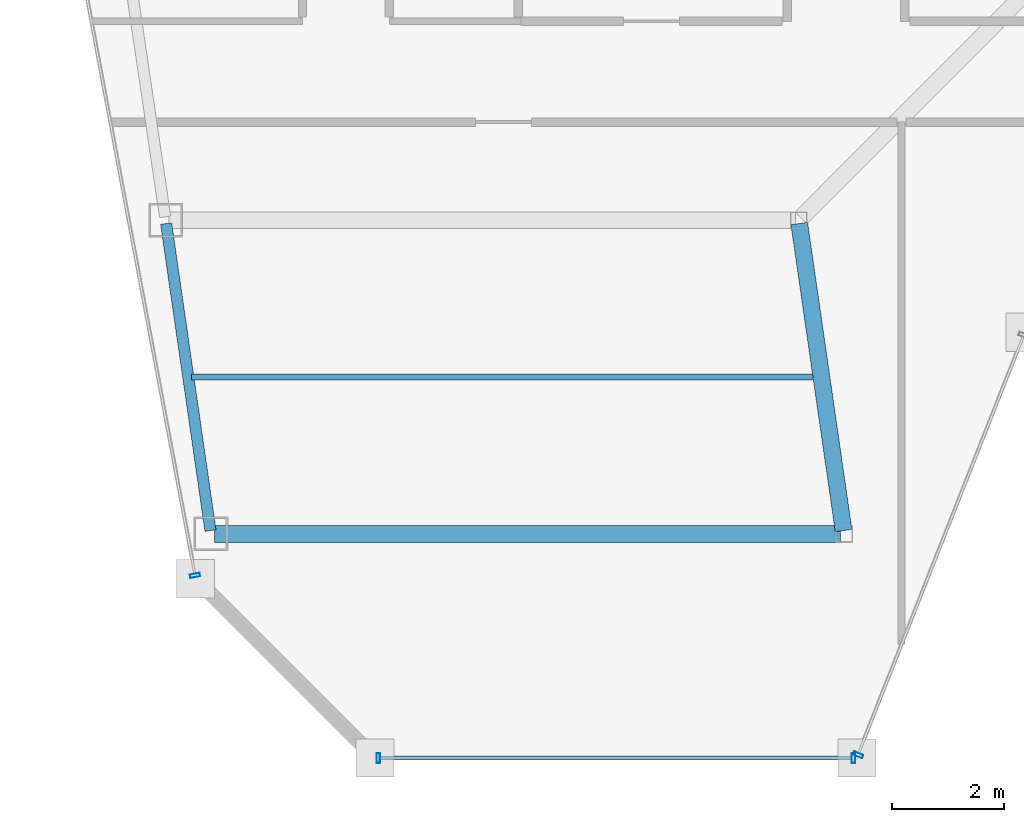
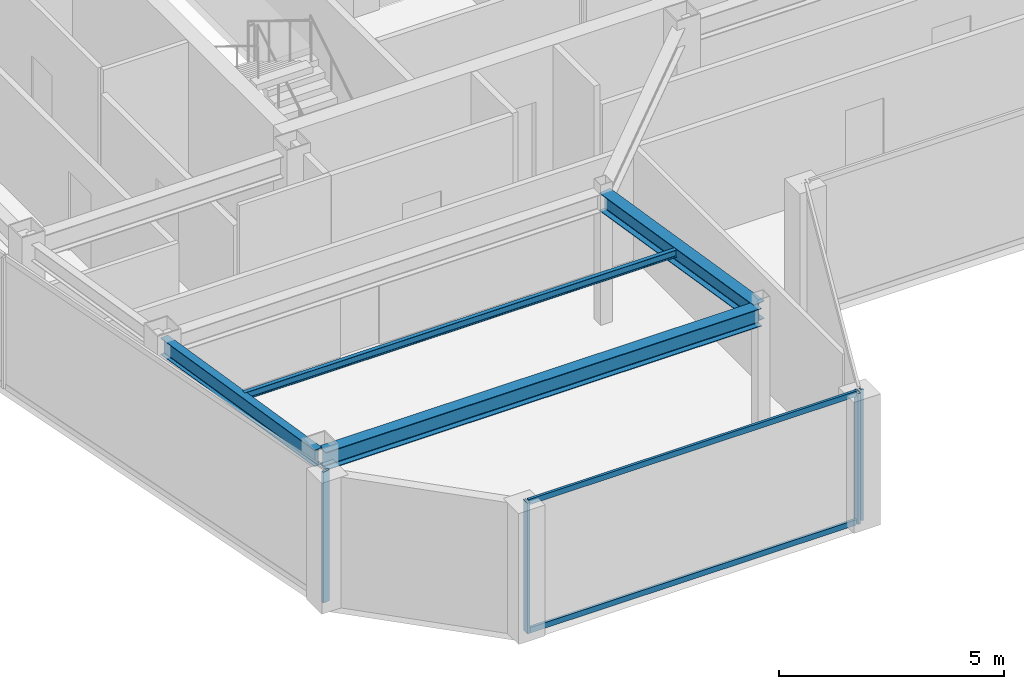
# One storey, part 3 of 22: 6 members, 4 beams, 3 elements without a shape of their own.
"""IFC4 building model written with IfcOpenShell, lengths in metres."""

from ifc_helpers import new_model, si_unit, direction, frame, origin, origin_2d, place, context, subcontext, project, spatial, hollow_rectangle, i_section, extrude, material, material_profile, profile_set, type_object, element, aggregate, save


model = new_model("IFC4")

# Units and contexts
model_context = context("Model", 3, precision=1e-05, world=origin(), true_north=direction((0.0, 1.0)))
body_context = subcontext(model_context, "Body", "Model", "MODEL_VIEW")
ifc_project = project(units=[si_unit("LENGTHUNIT", "METRE"), si_unit("AREAUNIT", "SQUARE_METRE"), si_unit("VOLUMEUNIT", "CUBIC_METRE"), si_unit("PLANEANGLEUNIT", "RADIAN"), si_unit("MASSUNIT", "GRAM", prefix="KILO")], contexts=[model_context])

# Site, building, storey
site_placement = place(None, origin())
site = spatial("IfcSite", under=ifc_project, at=site_placement, CompositionType="ELEMENT")
building_placement = place(site_placement, origin())
building = spatial("IfcBuilding", under=site, at=building_placement, Name="Saevonmaru Cultural Tower", CompositionType="ELEMENT")
storey_placement = place(building_placement, frame((0.0, 0.0, 287.60009765625)))
storey = spatial("IfcBuildingStorey", under=building, at=storey_placement, Name="L68", CompositionType="ELEMENT", Elevation=287.60009765625)

# Beams
ifc_material_1 = material(Name="Steel SM355", Category="steel")
ifc_material_profile_1 = material_profile(ifc_material_1, i_section(OverallWidth=0.300048828125, OverallDepth=0.488037109375, WebThickness=0.010986328125, FlangeThickness=0.01806640625, FilletRadius=0.02197265625, at=origin_2d()), Name="H-488x300x11x18")
ifc_profile_set_1 = profile_set([ifc_material_profile_1], Name="Steel SM355")
beam_type_1 = type_object("IfcBeamType", Name="BM-G-H488", PredefinedType="BEAM", material=ifc_profile_set_1)
beam_1_placement = place(storey_placement, frame((19.6083984375, 32.059326171875, 3.305908203125), z_axis=(-0.142964121327, 0.989727871697, 0.0), x_axis=(-0.989727871697, -0.142964121327, 0.0)))
element("IfcBeam", 1, at=beam_1_placement, inside=storey, type_object=beam_type_1, Name="L68 West Atrium Girder 1", PredefinedType="BEAM", context=body_context, shape_type="SweptSolid", body=[
    extrude(i_section(OverallWidth=0.300048828125, OverallDepth=0.488037109375, WebThickness=0.010986328125, FlangeThickness=0.01806640625, FilletRadius=0.02197265625, at=origin_2d()), origin(), (0.0, 0.0, 1.0), 5.5380859375),
])
beam_2_placement = place(storey_placement, frame((8.376953125, 32.0, 3.305908203125), z_axis=(1.0, 0.0, 0.0), x_axis=(0.0, 1.0, 0.0)))
element("IfcBeam", 2, at=beam_2_placement, inside=storey, type_object=beam_type_1, Name="L68 West Wing Transverse Girder 1", PredefinedType="BEAM", context=body_context, shape_type="SweptSolid", body=[
    extrude(i_section(OverallWidth=0.300048828125, OverallDepth=0.488037109375, WebThickness=0.010986328125, FlangeThickness=0.01806640625, FilletRadius=0.02197265625, at=origin_2d()), origin(), (0.0, 0.0, 1.0), 11.179931640625),
])
ifc_material_profile_2 = material_profile(ifc_material_1, i_section(OverallWidth=0.10009765625, OverallDepth=0.199951171875, WebThickness=0.005615234375, FlangeThickness=0.008056640625, FilletRadius=0.008056640625, at=origin_2d()), Name="H-200x100x5.5x8")
ifc_profile_set_2 = profile_set([ifc_material_profile_2], Name="Steel SM355")
beam_type_2 = type_object("IfcBeamType", Name="BM-J-H200", PredefinedType="JOIST", material=ifc_profile_set_2)
beam_3_placement = place(storey_placement, frame((7.972412109375, 34.800048828125, 3.449951171875), z_axis=(1.0, 0.0, 0.0), x_axis=(0.0, 1.0, 0.0)))
element("IfcBeam", 3, at=beam_3_placement, inside=storey, type_object=beam_type_2, Name="L68 West Wing Floor Joist 1", PredefinedType="JOIST", context=body_context, shape_type="SweptSolid", body=[
    extrude(i_section(OverallWidth=0.10009765625, OverallDepth=0.199951171875, WebThickness=0.005615234375, FlangeThickness=0.008056640625, FilletRadius=0.008056640625, at=origin_2d()), origin(), (0.0, 0.0, 1.0), 11.08203125),
])
ifc_material_profile_3 = material_profile(ifc_material_1, i_section(OverallWidth=0.199951171875, OverallDepth=0.449951171875, WebThickness=0.009033203125, FlangeThickness=0.013916015625, FilletRadius=0.01806640625, at=origin_2d()), Name="H-450x200x9x14")
ifc_profile_set_3 = profile_set([ifc_material_profile_3], Name="Steel SM355")
beam_type_3 = type_object("IfcBeamType", Name="BM-SP-H450", PredefinedType="SPANDREL", material=ifc_profile_set_3)
beam_4_placement = place(storey_placement, frame((8.308349609375, 32.059326171875, 3.324951171875), z_axis=(-0.142964121327, 0.989727871697, 0.0), x_axis=(-0.989727871697, -0.142964121327, 0.0)))
element("IfcBeam", 4, at=beam_4_placement, inside=storey, type_object=beam_type_3, Name="L68 West Splayed Spandrel 1", PredefinedType="SPANDREL", context=body_context, shape_type="SweptSolid", body=[
    extrude(i_section(OverallWidth=0.199951171875, OverallDepth=0.449951171875, WebThickness=0.009033203125, FlangeThickness=0.013916015625, FilletRadius=0.01806640625, at=origin_2d()), origin(), (0.0, 0.0, 1.0), 5.5380859375),
])

# Curtain wall, members
ifc_material_2 = material(Name="Satin Bronze Anodised Aluminium", Category="aluminium")
curtain_wall_type = type_object("IfcCurtainWallType", Name="CW-TYP-B", PredefinedType="NOTDEFINED", material=ifc_material_2)
curtain_wall_1_placement = place(storey_placement, origin())
curtain_wall_1 = element("IfcCurtainWall", 5, at=curtain_wall_1_placement, inside=storey, type_object=curtain_wall_type, Name="L68 Unitised Curtain Wall E2", PredefinedType="NOTDEFINED")
ifc_material_profile_4 = material_profile(ifc_material_2, hollow_rectangle(XDim=0.06494140625, YDim=0.179931640625, WallThickness=0.00390625, at=origin_2d()), Name="ALU-MULL-180x65x4")
ifc_profile_set_4 = profile_set([ifc_material_profile_4], Name="Satin Bronze Anodised Aluminium")
member_type_1 = type_object("IfcMemberType", Name="ML-CW-180x65", PredefinedType="MULLION", material=ifc_profile_set_4)
member_1_placement = place(storey_placement, frame((11.304443359375, 28.0, 0.0), z_axis=(0.0, 0.0, 1.0), x_axis=(1.0, 0.0, 0.0)))
member_1 = element("IfcMember", 6, at=member_1_placement, type_object=member_type_1, Name="CW-TW-L68-E2 mullion 1", PredefinedType="MULLION", context=body_context, shape_type="SweptSolid", body=[
    extrude(hollow_rectangle(XDim=0.06494140625, YDim=0.179931640625, WallThickness=0.00390625, at=origin_2d()), origin(), (0.0, 0.0, 1.0), 3.5498046875),
])
member_2_placement = place(storey_placement, frame((19.784423828125, 28.0, 0.0), z_axis=(0.0, 0.0, 1.0), x_axis=(1.0, 0.0, 0.0)))
member_2 = element("IfcMember", 7, at=member_2_placement, type_object=member_type_1, Name="CW-TW-L68-E2 mullion 2", PredefinedType="MULLION", context=body_context, shape_type="SweptSolid", body=[
    extrude(hollow_rectangle(XDim=0.06494140625, YDim=0.179931640625, WallThickness=0.00390625, at=origin_2d()), origin(), (0.0, 0.0, 1.0), 3.5498046875),
])

# Curtain wall, member
curtain_wall_2_placement = place(storey_placement, origin())
curtain_wall_2 = element("IfcCurtainWall", 8, at=curtain_wall_2_placement, inside=storey, type_object=curtain_wall_type, Name="L68 Unitised Curtain Wall E3", PredefinedType="NOTDEFINED")
member_3_placement = place(storey_placement, frame((19.866455078125, 28.055908203125, 0.0), z_axis=(0.0, 0.0, 1.0), x_axis=(0.367172185578, 0.930152990716, 0.0)))
member_3 = element("IfcMember", 9, at=member_3_placement, type_object=member_type_1, Name="CW-TW-L68-E3 mullion 1", PredefinedType="MULLION", context=body_context, shape_type="SweptSolid", body=[
    extrude(hollow_rectangle(XDim=0.06494140625, YDim=0.179931640625, WallThickness=0.00390625, at=origin_2d()), origin(), (0.0, 0.0, 1.0), 3.5498046875),
])
aggregate(curtain_wall_2, [member_3])

curtain_wall_3_placement = place(storey_placement, origin())
curtain_wall_3 = element("IfcCurtainWall", 10, at=curtain_wall_3_placement, inside=storey, type_object=curtain_wall_type, Name="L68 Unitised Curtain Wall E12", PredefinedType="NOTDEFINED")
member_4_placement = place(storey_placement, frame((8.033447265625, 31.259033203125, 0.0), z_axis=(0.0, 0.0, 1.0), x_axis=(0.184046528232, -0.982917532373, 0.0)))
member_4 = element("IfcMember", 11, at=member_4_placement, type_object=member_type_1, Name="CW-TW-L68-E12 mullion 3", PredefinedType="MULLION", context=body_context, shape_type="SweptSolid", body=[
    extrude(hollow_rectangle(XDim=0.06494140625, YDim=0.179931640625, WallThickness=0.00390625, at=origin_2d()), origin(), (0.0, 0.0, 1.0), 3.5498046875),
])
aggregate(curtain_wall_3, [member_4])

# Member
ifc_material_profile_5 = material_profile(ifc_material_2, hollow_rectangle(XDim=0.06494140625, YDim=0.14990234375, WallThickness=0.00390625, at=origin_2d()), Name="ALU-TRAN-150x65x4")
ifc_profile_set_5 = profile_set([ifc_material_profile_5], Name="Satin Bronze Anodised Aluminium")
member_type_2 = type_object("IfcMemberType", Name="TR-CW-150x65", PredefinedType="USERDEFINED", material=ifc_profile_set_5)
member_5_placement = place(storey_placement, frame((11.3369140625, 28.0, 0.032470703125), z_axis=(1.0, 0.0, 0.0), x_axis=(0.0, 1.0, 0.0)))
member_5 = element("IfcMember", 12, at=member_5_placement, type_object=member_type_2, Name="CW-TW-L68-E2 transom 1.1", ObjectType="TRANSOM", PredefinedType="USERDEFINED", context=body_context, shape_type="SweptSolid", body=[
    extrude(hollow_rectangle(XDim=0.06494140625, YDim=0.14990234375, WallThickness=0.00390625, at=origin_2d()), origin(), (0.0, 0.0, 1.0), 8.4150390625),
])

member_6_placement = place(storey_placement, frame((11.3369140625, 28.0, 3.517333984375), z_axis=(1.0, 0.0, 0.0), x_axis=(0.0, 1.0, 0.0)))
member_6 = element("IfcMember", 13, at=member_6_placement, type_object=member_type_2, Name="CW-TW-L68-E2 transom 1.2", ObjectType="TRANSOM", PredefinedType="USERDEFINED", context=body_context, shape_type="SweptSolid", body=[
    extrude(hollow_rectangle(XDim=0.06494140625, YDim=0.14990234375, WallThickness=0.00390625, at=origin_2d()), origin(), (0.0, 0.0, 1.0), 8.4150390625),
])

aggregate(curtain_wall_1, [member_1, member_2, member_5, member_6])

save(model, "model.ifc")
